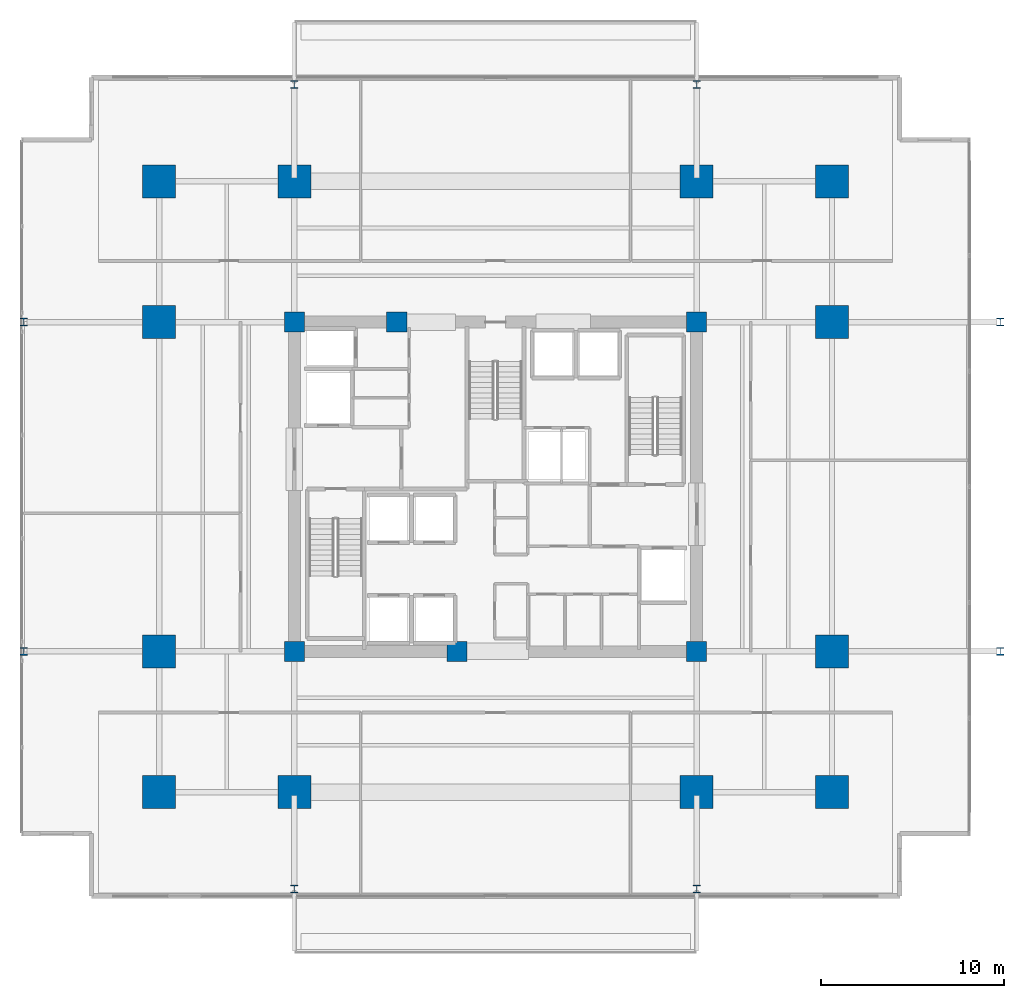
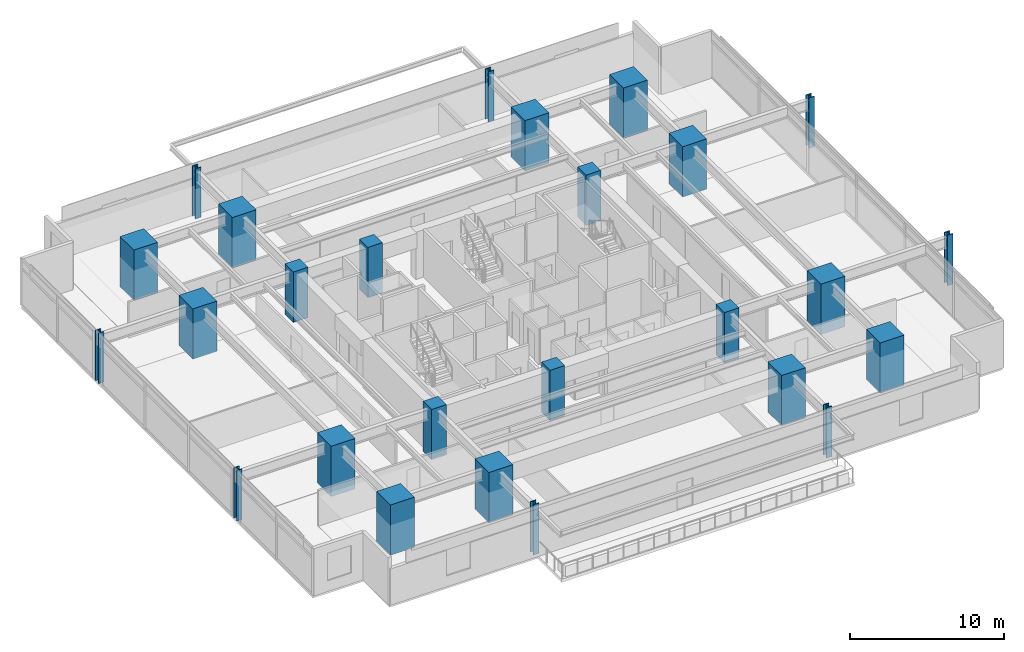
# One storey, part 1 of 23: 26 columns.
"""IFC4 building model written with IfcOpenShell, lengths in metres."""

from ifc_helpers import new_model, si_unit, direction, frame, origin, origin_2d, place, context, subcontext, project, spatial, rectangle, i_section, extrude, material, material_profile, profile_set, type_object, element, save


model = new_model("IFC4")

# Units and contexts
model_context = context("Model", 3, precision=1e-05, world=origin(), true_north=direction((0.0, 1.0)))
body_context = subcontext(model_context, "Body", "Model", "MODEL_VIEW")
ifc_project = project(units=[si_unit("LENGTHUNIT", "METRE"), si_unit("AREAUNIT", "SQUARE_METRE"), si_unit("VOLUMEUNIT", "CUBIC_METRE"), si_unit("PLANEANGLEUNIT", "RADIAN"), si_unit("MASSUNIT", "GRAM", prefix="KILO")], contexts=[model_context])

# Site, building, storey
site_placement = place(None, origin())
site = spatial("IfcSite", under=ifc_project, at=site_placement, CompositionType="ELEMENT")
building_placement = place(site_placement, origin())
building = spatial("IfcBuilding", under=site, at=building_placement, Name="Kovane Verandah Tower", CompositionType="ELEMENT")
storey_placement = place(building_placement, frame((0.0, 0.0, 63.60009765625)))
storey = spatial("IfcBuildingStorey", under=building, at=storey_placement, Name="L14", CompositionType="ELEMENT", Elevation=63.60009765625)

# Columns
ifc_material_1 = material(Name="Concrete C80/95", Category="concrete")
ifc_material_profile_1 = material_profile(ifc_material_1, rectangle(XDim=1.800048828125, YDim=1.800048828125, at=origin_2d()), Name="RC1800x1800")
ifc_profile_set_1 = profile_set([ifc_material_profile_1], Name="Concrete C80/95")
column_type_1 = type_object("IfcColumnType", Name="COL-RC1800", PredefinedType="COLUMN", material=ifc_profile_set_1)
for number, where, z_axis, x_axis, name in (
    (1, (29.0, 10.800048828125, 0.0), (0.0, 0.0, 1.0), (1.0, 0.0, 0.0), "L14 Tower Mega-Column MC-S1"),
    (2, (51.0, 10.800048828125, 0.0), (0.0, 0.0, 1.0), (1.0, 0.0, 0.0), "L14 Tower Mega-Column MC-S2"),
    (3, (29.0, 44.199951171875, 0.0), (0.0, 0.0, 1.0), (1.0, 0.0, 0.0), "L14 Tower Mega-Column MC-N1"),
    (4, (51.0, 44.199951171875, 0.0), (0.0, 0.0, 1.0), (1.0, 0.0, 0.0), "L14 Tower Mega-Column MC-N2"),
    (5, (21.60009765625, 18.5, 0.0), (0.0, 0.0, 1.0), (1.0, 0.0, 0.0), "L14 Tower Mega-Column MC-W1"),
    (6, (21.60009765625, 36.5, 0.0), (0.0, 0.0, 1.0), (1.0, 0.0, 0.0), "L14 Tower Mega-Column MC-W2"),
    (7, (58.39990234375, 18.5, 0.0), (0.0, 0.0, 1.0), (1.0, 0.0, 0.0), "L14 Tower Mega-Column MC-E1"),
    (8, (58.39990234375, 36.5, 0.0), (0.0, 0.0, 1.0), (1.0, 0.0, 0.0), "L14 Tower Mega-Column MC-E2"),
    (9, (21.60009765625, 10.800048828125, 0.0), (0.0, 0.0, 1.0), (1.0, 0.0, 0.0), "L14 Tower Mega-Column MC-SW"),
    (10, (58.39990234375, 10.800048828125, 0.0), (0.0, 0.0, 1.0), (1.0, 0.0, 0.0), "L14 Tower Mega-Column MC-SE"),
    (11, (21.60009765625, 44.199951171875, 0.0), (0.0, 0.0, 1.0), (1.0, 0.0, 0.0), "L14 Tower Mega-Column MC-NW"),
    (12, (58.39990234375, 44.199951171875, 0.0), (0.0, 0.0, 1.0), (1.0, 0.0, 0.0), "L14 Tower Mega-Column MC-NE"),
):
    element("IfcColumn", number, at=place(storey_placement, frame(where, z_axis=z_axis, x_axis=x_axis)), inside=storey, type_object=column_type_1, Name=name, PredefinedType="COLUMN", context=body_context, shape_type="SweptSolid", body=[
        extrude(rectangle(XDim=1.800048828125, YDim=1.800048828125, at=origin_2d()), origin(), (0.0, 0.0, 1.0), 4.0),
    ])
ifc_material_2 = material(Name="Steel S460", Category="steel")
ifc_material_profile_2 = material_profile(ifc_material_2, i_section(OverallWidth=0.412109375, OverallDepth=0.4365234375, WebThickness=0.035888671875, FlangeThickness=0.05810546875, FilletRadius=0.01513671875, at=origin_2d()), Name="UC356x406x467")
ifc_profile_set_2 = profile_set([ifc_material_profile_2], Name="Steel S460")
column_type_2 = type_object("IfcColumnType", Name="COL-UC467", PredefinedType="COLUMN", material=ifc_profile_set_2)
for number, where, z_axis, x_axis, name in (
    (13, (14.199951171875, 18.5, 0.0), (0.0, 0.0, 1.0), (1.0, 0.0, 0.0), "L14 Verandah Perimeter Column VC-W1"),
    (14, (14.199951171875, 36.5, 0.0), (0.0, 0.0, 1.0), (1.0, 0.0, 0.0), "L14 Verandah Perimeter Column VC-W2"),
    (15, (67.60009765625, 18.5, 0.0), (0.0, 0.0, 1.0), (1.0, 0.0, 0.0), "L14 Verandah Perimeter Column VC-E1"),
    (16, (67.60009765625, 36.5, 0.0), (0.0, 0.0, 1.0), (1.0, 0.0, 0.0), "L14 Verandah Perimeter Column VC-E2"),
    (17, (29.0, 5.5, 0.0), (0.0, 0.0, 1.0), (1.0, 0.0, 0.0), "L14 Verandah Perimeter Column VC-S1"),
    (18, (51.0, 5.5, 0.0), (0.0, 0.0, 1.0), (1.0, 0.0, 0.0), "L14 Verandah Perimeter Column VC-S2"),
    (19, (29.0, 49.5, 0.0), (0.0, 0.0, 1.0), (1.0, 0.0, 0.0), "L14 Verandah Perimeter Column VC-N1"),
    (20, (51.0, 49.5, 0.0), (0.0, 0.0, 1.0), (1.0, 0.0, 0.0), "L14 Verandah Perimeter Column VC-N2"),
):
    element("IfcColumn", number, at=place(storey_placement, frame(where, z_axis=z_axis, x_axis=x_axis)), inside=storey, type_object=column_type_2, Name=name, PredefinedType="COLUMN", context=body_context, shape_type="SweptSolid", body=[
        extrude(i_section(OverallWidth=0.412109375, OverallDepth=0.4365234375, WebThickness=0.035888671875, FlangeThickness=0.05810546875, FilletRadius=0.01513671875, at=origin_2d()), origin(), (0.0, 0.0, 1.0), 4.0),
    ])
ifc_material_profile_3 = material_profile(ifc_material_1, rectangle(XDim=1.10009765625, YDim=1.10009765625, at=origin_2d()), Name="RC1100x1100")
ifc_profile_set_3 = profile_set([ifc_material_profile_3], Name="Concrete C80/95")
column_type_3 = type_object("IfcColumnType", Name="PIL-RC1100", PredefinedType="PILASTER", material=ifc_profile_set_3)
for number, where, z_axis, x_axis, name in (
    (21, (29.0, 18.5, 0.0), (0.0, 0.0, 1.0), (1.0, 0.0, 0.0), "L14 Core Pilaster CP-SW"),
    (22, (51.0, 18.5, 0.0), (0.0, 0.0, 1.0), (1.0, 0.0, 0.0), "L14 Core Pilaster CP-SE"),
    (23, (29.0, 36.5, 0.0), (0.0, 0.0, 1.0), (1.0, 0.0, 0.0), "L14 Core Pilaster CP-NW"),
    (24, (51.0, 36.5, 0.0), (0.0, 0.0, 1.0), (1.0, 0.0, 0.0), "L14 Core Pilaster CP-NE"),
    (25, (37.89990234375, 18.5, 0.0), (0.0, 0.0, 1.0), (1.0, 0.0, 0.0), "L14 Core Pilaster CP-S"),
    (26, (34.60009765625, 36.5, 0.0), (0.0, 0.0, 1.0), (1.0, 0.0, 0.0), "L14 Core Pilaster CP-N"),
):
    element("IfcColumn", number, at=place(storey_placement, frame(where, z_axis=z_axis, x_axis=x_axis)), inside=storey, type_object=column_type_3, Name=name, PredefinedType="PILASTER", context=body_context, shape_type="SweptSolid", body=[
        extrude(rectangle(XDim=1.10009765625, YDim=1.10009765625, at=origin_2d()), origin(), (0.0, 0.0, 1.0), 4.0),
    ])

save(model, "model.ifc")
